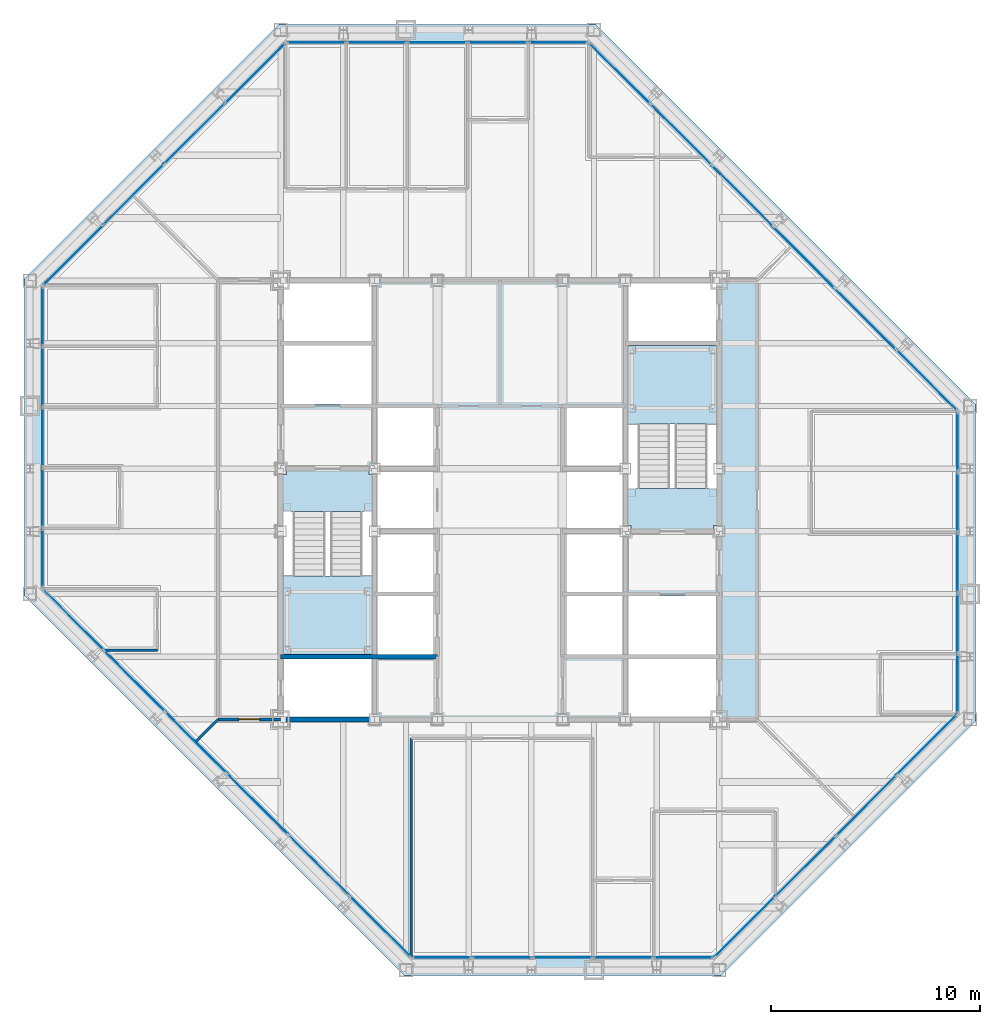
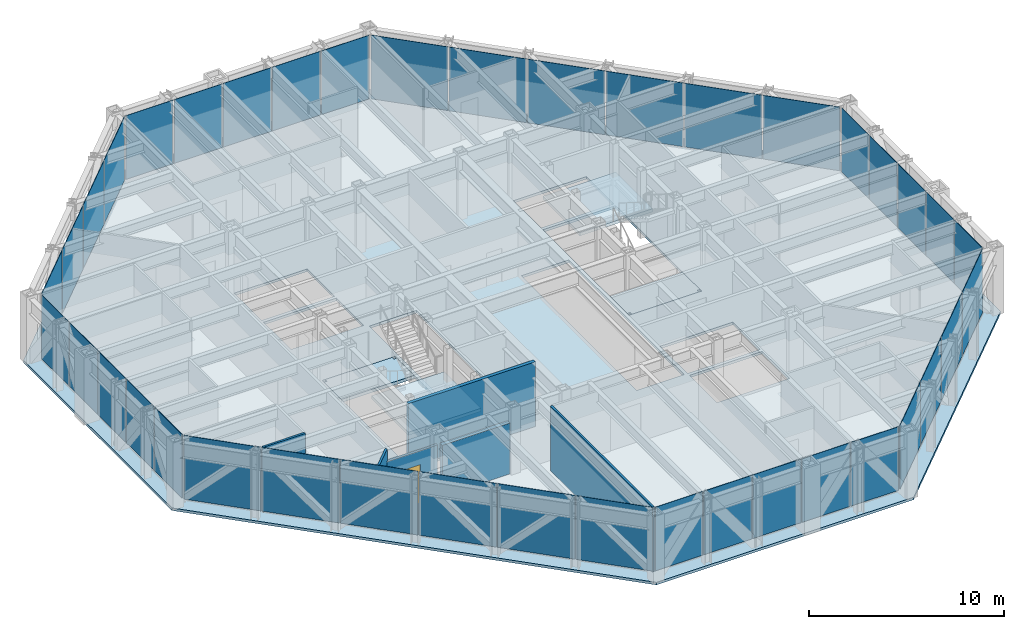
# One storey, part 10 of 16: 40 plates, 6 walls, 5 slabs, 1 door, 1 opening, 10 elements without a shape of their own.
"""IFC4 building model written with IfcOpenShell, lengths in metres."""

from ifc_helpers import new_model, si_unit, direction, frame, frame_2d, origin, origin_2d, place, context, subcontext, project, spatial, polyline, rectangle, outline, extrude, material, layer, layer_set, type_object, element, fill, aggregate, save


model = new_model("IFC4")

# Units and contexts
model_context = context("Model", 3, precision=1e-05, world=origin(), true_north=direction((0.0, 1.0)))
body_context = subcontext(model_context, "Body", "Model", "MODEL_VIEW")
ifc_project = project(units=[si_unit("LENGTHUNIT", "METRE"), si_unit("AREAUNIT", "SQUARE_METRE"), si_unit("VOLUMEUNIT", "CUBIC_METRE"), si_unit("PLANEANGLEUNIT", "RADIAN"), si_unit("MASSUNIT", "GRAM", prefix="KILO")], contexts=[model_context])

# Site, building, storey
site_placement = place(None, origin())
site = spatial("IfcSite", under=ifc_project, at=site_placement, CompositionType="ELEMENT")
building_placement = place(site_placement, origin())
building = spatial("IfcBuilding", under=site, at=building_placement, Name="Chuquiago Exchange Tower", CompositionType="ELEMENT")
storey_placement = place(building_placement, frame((0.0, 0.0, 234.89990234375)))
storey = spatial("IfcBuildingStorey", under=building, at=storey_placement, Name="L52", CompositionType="ELEMENT", Elevation=234.89990234375)

# Curtain wall, plate
ifc_material_1 = material(Name="Aluminium curtain wall system", Category="aluminium")
ifc_layer_1 = layer(ifc_material_1, 0.22509765625)
ifc_layer_set_1 = layer_set([ifc_layer_1], Name="CW2 office curtain wall")
curtain_wall_type_1 = type_object("IfcCurtainWallType", Name="CW2 office curtain wall", PredefinedType="NOTDEFINED", material=ifc_layer_set_1)
curtain_wall_1_placement = place(storey_placement, origin())
curtain_wall_1 = element("IfcCurtainWall", 1, at=curtain_wall_1_placement, inside=storey, type_object=curtain_wall_type_1, Name="CW2 curtain wall L52", PredefinedType="NOTDEFINED")
ifc_material_2 = material(Name="Glass, insulating unit", Category="glass")
ifc_layer_2 = layer(ifc_material_2, 0.030029296875)
ifc_layer_set_2 = layer_set([ifc_layer_2], Name="CW2-P panel 30")
plate_type_1 = type_object("IfcPlateType", Name="CW2-P panel 30", PredefinedType="CURTAIN_PANEL", material=ifc_layer_set_2)
plate_1_placement = place(storey_placement, frame((25.5, 0.60009765625, 0.06494140625), z_axis=(0.0, 0.0, 1.0), x_axis=(1.0, 0.0, 0.0)))
plate_1 = element("IfcPlate", 2, at=plate_1_placement, type_object=plate_type_1, Name="CW2 panel 3.1", PredefinedType="CURTAIN_PANEL", context=body_context, shape_type="SweptSolid", body=[
    extrude(rectangle(XDim=2.835693359375, YDim=0.030029296875, at=origin_2d()), origin(), (0.0, 0.0, 1.0), 3.97509765625),
])

curtain_wall_2_placement = place(storey_placement, origin())
curtain_wall_2 = element("IfcCurtainWall", 3, at=curtain_wall_2_placement, inside=storey, type_object=curtain_wall_type_1, Name="CW2 curtain wall L52", PredefinedType="NOTDEFINED")
plate_2_placement = place(storey_placement, frame((44.39990234375, 19.5, 0.06494140625), z_axis=(0.0, 0.0, 1.0), x_axis=(0.0, 1.0, 0.0)))
plate_2 = element("IfcPlate", 4, at=plate_2_placement, type_object=plate_type_1, Name="CW2 panel 3.1", PredefinedType="CURTAIN_PANEL", context=body_context, shape_type="SweptSolid", body=[
    extrude(rectangle(XDim=2.835693359375, YDim=0.030029296875, at=origin_2d()), origin(), (0.0, 0.0, 1.0), 3.97509765625),
])

curtain_wall_3_placement = place(storey_placement, origin())
curtain_wall_3 = element("IfcCurtainWall", 5, at=curtain_wall_3_placement, inside=storey, type_object=curtain_wall_type_1, Name="CW2 curtain wall L52", PredefinedType="NOTDEFINED")
plate_3_placement = place(storey_placement, frame((19.5, 44.39990234375, 0.06494140625), z_axis=(0.0, 0.0, 1.0), x_axis=(-1.0, 0.0, 0.0)))
plate_3 = element("IfcPlate", 6, at=plate_3_placement, type_object=plate_type_1, Name="CW2 panel 3.1", PredefinedType="CURTAIN_PANEL", context=body_context, shape_type="SweptSolid", body=[
    extrude(rectangle(XDim=2.835693359375, YDim=0.030029296875, at=origin_2d()), origin(), (0.0, 0.0, 1.0), 3.97509765625),
])

curtain_wall_4_placement = place(storey_placement, origin())
curtain_wall_4 = element("IfcCurtainWall", 7, at=curtain_wall_4_placement, inside=storey, type_object=curtain_wall_type_1, Name="CW2 curtain wall L52", PredefinedType="NOTDEFINED")
plate_4_placement = place(storey_placement, frame((0.60009765625, 25.5, 0.06494140625), z_axis=(0.0, 0.0, 1.0), x_axis=(0.0, -1.0, 0.0)))
plate_4 = element("IfcPlate", 8, at=plate_4_placement, type_object=plate_type_1, Name="CW2 panel 3.1", PredefinedType="CURTAIN_PANEL", context=body_context, shape_type="SweptSolid", body=[
    extrude(rectangle(XDim=2.835693359375, YDim=0.030029296875, at=origin_2d()), origin(), (0.0, 0.0, 1.0), 3.97509765625),
])

# Plate
ifc_material_3 = material(Name="Insulated spandrel panel, pale anodised aluminium", Category="aluminium")
ifc_layer_3 = layer(ifc_material_3, 0.030029296875)
ifc_layer_set_3 = layer_set([ifc_layer_3], Name="CW2-P spandrel panel 30")
plate_type_2 = type_object("IfcPlateType", Name="CW2-P spandrel panel 30", PredefinedType="CURTAIN_PANEL", material=ifc_layer_set_3)
plate_5_placement = place(storey_placement, frame((19.715087890625, 0.60009765625, 0.06494140625), z_axis=(0.0, 0.0, 1.0), x_axis=(1.0, 0.0, 0.0)))
plate_5 = element("IfcPlate", 9, at=plate_5_placement, type_object=plate_type_2, Name="CW2 panel 1.1", PredefinedType="CURTAIN_PANEL", context=body_context, shape_type="SweptSolid", body=[
    extrude(rectangle(XDim=2.802978515625, YDim=0.030029296875, at=origin_2d()), origin(), (0.0, 0.0, 1.0), 3.97509765625),
])

plate_6_placement = place(storey_placement, frame((22.599365234375, 0.60009765625, 0.06494140625), z_axis=(0.0, 0.0, 1.0), x_axis=(1.0, 0.0, 0.0)))
plate_6 = element("IfcPlate", 10, at=plate_6_placement, type_object=plate_type_2, Name="CW2 panel 2.1", PredefinedType="CURTAIN_PANEL", context=body_context, shape_type="SweptSolid", body=[
    extrude(rectangle(XDim=2.835693359375, YDim=0.030029296875, at=origin_2d()), origin(), (0.0, 0.0, 1.0), 3.97509765625),
])

plate_7_placement = place(storey_placement, frame((28.400634765625, 0.60009765625, 0.06494140625), z_axis=(0.0, 0.0, 1.0), x_axis=(1.0, 0.0, 0.0)))
plate_7 = element("IfcPlate", 11, at=plate_7_placement, type_object=plate_type_2, Name="CW2 panel 4.1", PredefinedType="CURTAIN_PANEL", context=body_context, shape_type="SweptSolid", body=[
    extrude(rectangle(XDim=2.835693359375, YDim=0.030029296875, at=origin_2d()), origin(), (0.0, 0.0, 1.0), 3.97509765625),
])

plate_8_placement = place(storey_placement, frame((31.284912109375, 0.60009765625, 0.06494140625), z_axis=(0.0, 0.0, 1.0), x_axis=(1.0, 0.0, 0.0)))
plate_8 = element("IfcPlate", 12, at=plate_8_placement, type_object=plate_type_2, Name="CW2 panel 5.1", PredefinedType="CURTAIN_PANEL", context=body_context, shape_type="SweptSolid", body=[
    extrude(rectangle(XDim=2.802978515625, YDim=0.030029296875, at=origin_2d()), origin(), (0.0, 0.0, 1.0), 3.97509765625),
])

aggregate(curtain_wall_1, [plate_5, plate_6, plate_1, plate_7, plate_8])

plate_9_placement = place(storey_placement, frame((44.39990234375, 13.715087890625, 0.06494140625), z_axis=(0.0, 0.0, 1.0), x_axis=(0.0, 1.0, 0.0)))
plate_9 = element("IfcPlate", 13, at=plate_9_placement, type_object=plate_type_2, Name="CW2 panel 1.1", PredefinedType="CURTAIN_PANEL", context=body_context, shape_type="SweptSolid", body=[
    extrude(rectangle(XDim=2.802978515625, YDim=0.030029296875, at=origin_2d()), origin(), (0.0, 0.0, 1.0), 3.97509765625),
])

plate_10_placement = place(storey_placement, frame((44.39990234375, 16.599365234375, 0.06494140625), z_axis=(0.0, 0.0, 1.0), x_axis=(0.0, 1.0, 0.0)))
plate_10 = element("IfcPlate", 14, at=plate_10_placement, type_object=plate_type_2, Name="CW2 panel 2.1", PredefinedType="CURTAIN_PANEL", context=body_context, shape_type="SweptSolid", body=[
    extrude(rectangle(XDim=2.835693359375, YDim=0.030029296875, at=origin_2d()), origin(), (0.0, 0.0, 1.0), 3.97509765625),
])

plate_11_placement = place(storey_placement, frame((44.39990234375, 22.400634765625, 0.06494140625), z_axis=(0.0, 0.0, 1.0), x_axis=(0.0, 1.0, 0.0)))
plate_11 = element("IfcPlate", 15, at=plate_11_placement, type_object=plate_type_2, Name="CW2 panel 4.1", PredefinedType="CURTAIN_PANEL", context=body_context, shape_type="SweptSolid", body=[
    extrude(rectangle(XDim=2.835693359375, YDim=0.030029296875, at=origin_2d()), origin(), (0.0, 0.0, 1.0), 3.97509765625),
])

plate_12_placement = place(storey_placement, frame((44.39990234375, 25.284912109375, 0.06494140625), z_axis=(0.0, 0.0, 1.0), x_axis=(0.0, 1.0, 0.0)))
plate_12 = element("IfcPlate", 16, at=plate_12_placement, type_object=plate_type_2, Name="CW2 panel 5.1", PredefinedType="CURTAIN_PANEL", context=body_context, shape_type="SweptSolid", body=[
    extrude(rectangle(XDim=2.802978515625, YDim=0.030029296875, at=origin_2d()), origin(), (0.0, 0.0, 1.0), 3.97509765625),
])

aggregate(curtain_wall_2, [plate_9, plate_10, plate_2, plate_11, plate_12])

plate_13_placement = place(storey_placement, frame((25.284912109375, 44.39990234375, 0.06494140625), z_axis=(0.0, 0.0, 1.0), x_axis=(-1.0, 0.0, 0.0)))
plate_13 = element("IfcPlate", 17, at=plate_13_placement, type_object=plate_type_2, Name="CW2 panel 1.1", PredefinedType="CURTAIN_PANEL", context=body_context, shape_type="SweptSolid", body=[
    extrude(rectangle(XDim=2.802978515625, YDim=0.030029296875, at=origin_2d()), origin(), (0.0, 0.0, 1.0), 3.97509765625),
])

plate_14_placement = place(storey_placement, frame((22.400634765625, 44.39990234375, 0.06494140625), z_axis=(0.0, 0.0, 1.0), x_axis=(-1.0, 0.0, 0.0)))
plate_14 = element("IfcPlate", 18, at=plate_14_placement, type_object=plate_type_2, Name="CW2 panel 2.1", PredefinedType="CURTAIN_PANEL", context=body_context, shape_type="SweptSolid", body=[
    extrude(rectangle(XDim=2.835693359375, YDim=0.030029296875, at=origin_2d()), origin(), (0.0, 0.0, 1.0), 3.97509765625),
])

plate_15_placement = place(storey_placement, frame((16.599365234375, 44.39990234375, 0.06494140625), z_axis=(0.0, 0.0, 1.0), x_axis=(-1.0, 0.0, 0.0)))
plate_15 = element("IfcPlate", 19, at=plate_15_placement, type_object=plate_type_2, Name="CW2 panel 4.1", PredefinedType="CURTAIN_PANEL", context=body_context, shape_type="SweptSolid", body=[
    extrude(rectangle(XDim=2.835693359375, YDim=0.030029296875, at=origin_2d()), origin(), (0.0, 0.0, 1.0), 3.97509765625),
])

plate_16_placement = place(storey_placement, frame((13.715087890625, 44.39990234375, 0.06494140625), z_axis=(0.0, 0.0, 1.0), x_axis=(-1.0, 0.0, 0.0)))
plate_16 = element("IfcPlate", 20, at=plate_16_placement, type_object=plate_type_2, Name="CW2 panel 5.1", PredefinedType="CURTAIN_PANEL", context=body_context, shape_type="SweptSolid", body=[
    extrude(rectangle(XDim=2.802978515625, YDim=0.030029296875, at=origin_2d()), origin(), (0.0, 0.0, 1.0), 3.97509765625),
])

aggregate(curtain_wall_3, [plate_13, plate_14, plate_3, plate_15, plate_16])

plate_17_placement = place(storey_placement, frame((0.60009765625, 31.284912109375, 0.06494140625), z_axis=(0.0, 0.0, 1.0), x_axis=(0.0, -1.0, 0.0)))
plate_17 = element("IfcPlate", 21, at=plate_17_placement, type_object=plate_type_2, Name="CW2 panel 1.1", PredefinedType="CURTAIN_PANEL", context=body_context, shape_type="SweptSolid", body=[
    extrude(rectangle(XDim=2.802978515625, YDim=0.030029296875, at=origin_2d()), origin(), (0.0, 0.0, 1.0), 3.97509765625),
])

plate_18_placement = place(storey_placement, frame((0.60009765625, 28.400634765625, 0.06494140625), z_axis=(0.0, 0.0, 1.0), x_axis=(0.0, -1.0, 0.0)))
plate_18 = element("IfcPlate", 22, at=plate_18_placement, type_object=plate_type_2, Name="CW2 panel 2.1", PredefinedType="CURTAIN_PANEL", context=body_context, shape_type="SweptSolid", body=[
    extrude(rectangle(XDim=2.835693359375, YDim=0.030029296875, at=origin_2d()), origin(), (0.0, 0.0, 1.0), 3.97509765625),
])

plate_19_placement = place(storey_placement, frame((0.60009765625, 22.599365234375, 0.06494140625), z_axis=(0.0, 0.0, 1.0), x_axis=(0.0, -1.0, 0.0)))
plate_19 = element("IfcPlate", 23, at=plate_19_placement, type_object=plate_type_2, Name="CW2 panel 4.1", PredefinedType="CURTAIN_PANEL", context=body_context, shape_type="SweptSolid", body=[
    extrude(rectangle(XDim=2.835693359375, YDim=0.030029296875, at=origin_2d()), origin(), (0.0, 0.0, 1.0), 3.97509765625),
])

plate_20_placement = place(storey_placement, frame((0.60009765625, 19.715087890625, 0.06494140625), z_axis=(0.0, 0.0, 1.0), x_axis=(0.0, -1.0, 0.0)))
plate_20 = element("IfcPlate", 24, at=plate_20_placement, type_object=plate_type_2, Name="CW2 panel 5.1", PredefinedType="CURTAIN_PANEL", context=body_context, shape_type="SweptSolid", body=[
    extrude(rectangle(XDim=2.802978515625, YDim=0.030029296875, at=origin_2d()), origin(), (0.0, 0.0, 1.0), 3.97509765625),
])

aggregate(curtain_wall_4, [plate_17, plate_18, plate_4, plate_19, plate_20])

# Curtain wall, plates
ifc_material_4 = material(Name="Aluminium curtain wall system", Category="aluminium")
ifc_layer_4 = layer(ifc_material_4, 0.199951171875)
ifc_layer_set_4 = layer_set([ifc_layer_4], Name="CW3 facet curtain wall")
curtain_wall_type_2 = type_object("IfcCurtainWallType", Name="CW3 facet curtain wall", PredefinedType="NOTDEFINED", material=ifc_layer_set_4)
curtain_wall_5_placement = place(storey_placement, origin())
curtain_wall_5 = element("IfcCurtainWall", 25, at=curtain_wall_5_placement, inside=storey, type_object=curtain_wall_type_2, Name="CW3 curtain wall L52", PredefinedType="NOTDEFINED")
ifc_material_5 = material(Name="Insulated spandrel panel, pale anodised aluminium", Category="aluminium")
ifc_layer_5 = layer(ifc_material_5, 0.030029296875)
ifc_layer_set_5 = layer_set([ifc_layer_5], Name="CW3-P spandrel panel 30")
plate_type_3 = type_object("IfcPlateType", Name="CW3-P spandrel panel 30", PredefinedType="CURTAIN_PANEL", material=ifc_layer_set_5)
plate_21_placement = place(storey_placement, frame((34.218994140625, 2.067626953125, 0.06494140625), z_axis=(0.0, 0.0, 1.0), x_axis=(0.707106781187, 0.707106781187, 0.0)))
plate_21 = element("IfcPlate", 26, at=plate_21_placement, type_object=plate_type_3, Name="CW3 panel 1.1", PredefinedType="CURTAIN_PANEL", context=body_context, shape_type="SweptSolid", body=[
    extrude(rectangle(XDim=4.020751953125, YDim=0.030029296875, at=origin_2d()), origin(), (0.0, 0.0, 1.0), 3.97509765625),
])
plate_22_placement = place(storey_placement, frame((37.11962890625, 4.96826171875, 0.06494140625), z_axis=(0.0, 0.0, 1.0), x_axis=(0.707106781187, 0.707106781187, 0.0)))
plate_22 = element("IfcPlate", 27, at=plate_22_placement, type_object=plate_type_3, Name="CW3 panel 2.1", PredefinedType="CURTAIN_PANEL", context=body_context, shape_type="SweptSolid", body=[
    extrude(rectangle(XDim=4.053466796875, YDim=0.030029296875, at=origin_2d()), origin(), (0.0, 0.0, 1.0), 3.97509765625),
])
plate_23_placement = place(storey_placement, frame((40.03173828125, 7.88037109375, 0.06494140625), z_axis=(0.0, 0.0, 1.0), x_axis=(0.707106781187, 0.707106781187, 0.0)))
plate_23 = element("IfcPlate", 28, at=plate_23_placement, type_object=plate_type_3, Name="CW3 panel 3.1", PredefinedType="CURTAIN_PANEL", context=body_context, shape_type="SweptSolid", body=[
    extrude(rectangle(XDim=4.053466796875, YDim=0.030029296875, at=origin_2d()), origin(), (0.0, 0.0, 1.0), 3.97509765625),
])
plate_24_placement = place(storey_placement, frame((42.932373046875, 10.781005859375, 0.06494140625), z_axis=(0.0, 0.0, 1.0), x_axis=(0.707106781187, 0.707106781187, 0.0)))
plate_24 = element("IfcPlate", 29, at=plate_24_placement, type_object=plate_type_3, Name="CW3 panel 4.1", PredefinedType="CURTAIN_PANEL", context=body_context, shape_type="SweptSolid", body=[
    extrude(rectangle(XDim=4.020751953125, YDim=0.030029296875, at=origin_2d()), origin(), (0.0, 0.0, 1.0), 3.97509765625),
])
aggregate(curtain_wall_5, [plate_21, plate_22, plate_23, plate_24])

curtain_wall_6_placement = place(storey_placement, origin())
curtain_wall_6 = element("IfcCurtainWall", 30, at=curtain_wall_6_placement, inside=storey, type_object=curtain_wall_type_2, Name="CW3 curtain wall L52", PredefinedType="NOTDEFINED")
plate_25_placement = place(storey_placement, frame((42.917724609375, 28.233642578125, 0.06494140625), z_axis=(0.0, 0.0, 1.0), x_axis=(-0.707106781187, 0.707106781187, 0.0)))
plate_25 = element("IfcPlate", 31, at=plate_25_placement, type_object=plate_type_3, Name="CW3 panel 1.1", PredefinedType="CURTAIN_PANEL", context=body_context, shape_type="SweptSolid", body=[
    extrude(rectangle(XDim=4.062255859375, YDim=0.030029296875, at=origin_2d()), origin(), (0.0, 0.0, 1.0), 3.97509765625),
])
plate_26_placement = place(storey_placement, frame((39.98779296875, 31.16357421875, 0.06494140625), z_axis=(0.0, 0.0, 1.0), x_axis=(-0.707106781187, 0.707106781187, 0.0)))
plate_26 = element("IfcPlate", 32, at=plate_26_placement, type_object=plate_type_3, Name="CW3 panel 2.1", PredefinedType="CURTAIN_PANEL", context=body_context, shape_type="SweptSolid", body=[
    extrude(rectangle(XDim=4.0947265625, YDim=0.030029296875, at=origin_2d()), origin(), (0.0, 0.0, 1.0), 3.97509765625),
])
plate_27_placement = place(storey_placement, frame((37.04638671875, 34.10498046875, 0.06494140625), z_axis=(0.0, 0.0, 1.0), x_axis=(-0.707106781187, 0.707106781187, 0.0)))
plate_27 = element("IfcPlate", 33, at=plate_27_placement, type_object=plate_type_3, Name="CW3 panel 3.1", PredefinedType="CURTAIN_PANEL", context=body_context, shape_type="SweptSolid", body=[
    extrude(rectangle(XDim=4.0947265625, YDim=0.030029296875, at=origin_2d()), origin(), (0.0, 0.0, 1.0), 3.97509765625),
])
plate_28_placement = place(storey_placement, frame((34.10498046875, 37.04638671875, 0.06494140625), z_axis=(0.0, 0.0, 1.0), x_axis=(-0.707106781187, 0.707106781187, 0.0)))
plate_28 = element("IfcPlate", 34, at=plate_28_placement, type_object=plate_type_3, Name="CW3 panel 4.1", PredefinedType="CURTAIN_PANEL", context=body_context, shape_type="SweptSolid", body=[
    extrude(rectangle(XDim=4.0947265625, YDim=0.030029296875, at=origin_2d()), origin(), (0.0, 0.0, 1.0), 3.97509765625),
])
plate_29_placement = place(storey_placement, frame((31.16357421875, 39.98779296875, 0.06494140625), z_axis=(0.0, 0.0, 1.0), x_axis=(-0.707106781187, 0.707106781187, 0.0)))
plate_29 = element("IfcPlate", 35, at=plate_29_placement, type_object=plate_type_3, Name="CW3 panel 5.1", PredefinedType="CURTAIN_PANEL", context=body_context, shape_type="SweptSolid", body=[
    extrude(rectangle(XDim=4.0947265625, YDim=0.030029296875, at=origin_2d()), origin(), (0.0, 0.0, 1.0), 3.97509765625),
])
plate_30_placement = place(storey_placement, frame((28.233642578125, 42.917724609375, 0.06494140625), z_axis=(0.0, 0.0, 1.0), x_axis=(-0.707106781187, 0.707106781187, 0.0)))
plate_30 = element("IfcPlate", 36, at=plate_30_placement, type_object=plate_type_3, Name="CW3 panel 6.1", PredefinedType="CURTAIN_PANEL", context=body_context, shape_type="SweptSolid", body=[
    extrude(rectangle(XDim=4.062255859375, YDim=0.030029296875, at=origin_2d()), origin(), (0.0, 0.0, 1.0), 3.97509765625),
])
aggregate(curtain_wall_6, [plate_25, plate_26, plate_27, plate_28, plate_29, plate_30])

curtain_wall_7_placement = place(storey_placement, origin())
curtain_wall_7 = element("IfcCurtainWall", 37, at=curtain_wall_7_placement, inside=storey, type_object=curtain_wall_type_2, Name="CW3 curtain wall L52", PredefinedType="NOTDEFINED")
plate_31_placement = place(storey_placement, frame((10.781005859375, 42.932373046875, 0.06494140625), z_axis=(0.0, 0.0, 1.0), x_axis=(-0.707106781187, -0.707106781187, 0.0)))
plate_31 = element("IfcPlate", 38, at=plate_31_placement, type_object=plate_type_3, Name="CW3 panel 1.1", PredefinedType="CURTAIN_PANEL", context=body_context, shape_type="SweptSolid", body=[
    extrude(rectangle(XDim=4.020751953125, YDim=0.030029296875, at=origin_2d()), origin(), (0.0, 0.0, 1.0), 3.97509765625),
])
plate_32_placement = place(storey_placement, frame((7.88037109375, 40.03173828125, 0.06494140625), z_axis=(0.0, 0.0, 1.0), x_axis=(-0.707106781187, -0.707106781187, 0.0)))
plate_32 = element("IfcPlate", 39, at=plate_32_placement, type_object=plate_type_3, Name="CW3 panel 2.1", PredefinedType="CURTAIN_PANEL", context=body_context, shape_type="SweptSolid", body=[
    extrude(rectangle(XDim=4.053466796875, YDim=0.030029296875, at=origin_2d()), origin(), (0.0, 0.0, 1.0), 3.97509765625),
])
plate_33_placement = place(storey_placement, frame((4.96826171875, 37.11962890625, 0.06494140625), z_axis=(0.0, 0.0, 1.0), x_axis=(-0.707106781187, -0.707106781187, 0.0)))
plate_33 = element("IfcPlate", 40, at=plate_33_placement, type_object=plate_type_3, Name="CW3 panel 3.1", PredefinedType="CURTAIN_PANEL", context=body_context, shape_type="SweptSolid", body=[
    extrude(rectangle(XDim=4.053466796875, YDim=0.030029296875, at=origin_2d()), origin(), (0.0, 0.0, 1.0), 3.97509765625),
])
plate_34_placement = place(storey_placement, frame((2.067626953125, 34.218994140625, 0.06494140625), z_axis=(0.0, 0.0, 1.0), x_axis=(-0.707106781187, -0.707106781187, 0.0)))
plate_34 = element("IfcPlate", 41, at=plate_34_placement, type_object=plate_type_3, Name="CW3 panel 4.1", PredefinedType="CURTAIN_PANEL", context=body_context, shape_type="SweptSolid", body=[
    extrude(rectangle(XDim=4.020751953125, YDim=0.030029296875, at=origin_2d()), origin(), (0.0, 0.0, 1.0), 3.97509765625),
])
aggregate(curtain_wall_7, [plate_31, plate_32, plate_33, plate_34])

curtain_wall_8_placement = place(storey_placement, origin())
curtain_wall_8 = element("IfcCurtainWall", 42, at=curtain_wall_8_placement, inside=storey, type_object=curtain_wall_type_2, Name="CW3 curtain wall L52", PredefinedType="NOTDEFINED")
plate_35_placement = place(storey_placement, frame((2.082275390625, 16.766357421875, 0.06494140625), z_axis=(0.0, 0.0, 1.0), x_axis=(0.707106781187, -0.707106781187, 0.0)))
plate_35 = element("IfcPlate", 43, at=plate_35_placement, type_object=plate_type_3, Name="CW3 panel 1.1", PredefinedType="CURTAIN_PANEL", context=body_context, shape_type="SweptSolid", body=[
    extrude(rectangle(XDim=4.062255859375, YDim=0.030029296875, at=origin_2d()), origin(), (0.0, 0.0, 1.0), 3.97509765625),
])
plate_36_placement = place(storey_placement, frame((5.01220703125, 13.83642578125, 0.06494140625), z_axis=(0.0, 0.0, 1.0), x_axis=(0.707106781187, -0.707106781187, 0.0)))
plate_36 = element("IfcPlate", 44, at=plate_36_placement, type_object=plate_type_3, Name="CW3 panel 2.1", PredefinedType="CURTAIN_PANEL", context=body_context, shape_type="SweptSolid", body=[
    extrude(rectangle(XDim=4.0947265625, YDim=0.030029296875, at=origin_2d()), origin(), (0.0, 0.0, 1.0), 3.97509765625),
])
plate_37_placement = place(storey_placement, frame((7.95361328125, 10.89501953125, 0.06494140625), z_axis=(0.0, 0.0, 1.0), x_axis=(0.707106781187, -0.707106781187, 0.0)))
plate_37 = element("IfcPlate", 45, at=plate_37_placement, type_object=plate_type_3, Name="CW3 panel 3.1", PredefinedType="CURTAIN_PANEL", context=body_context, shape_type="SweptSolid", body=[
    extrude(rectangle(XDim=4.0947265625, YDim=0.030029296875, at=origin_2d()), origin(), (0.0, 0.0, 1.0), 3.97509765625),
])
plate_38_placement = place(storey_placement, frame((10.89501953125, 7.95361328125, 0.06494140625), z_axis=(0.0, 0.0, 1.0), x_axis=(0.707106781187, -0.707106781187, 0.0)))
plate_38 = element("IfcPlate", 46, at=plate_38_placement, type_object=plate_type_3, Name="CW3 panel 4.1", PredefinedType="CURTAIN_PANEL", context=body_context, shape_type="SweptSolid", body=[
    extrude(rectangle(XDim=4.0947265625, YDim=0.030029296875, at=origin_2d()), origin(), (0.0, 0.0, 1.0), 3.97509765625),
])
plate_39_placement = place(storey_placement, frame((13.83642578125, 5.01220703125, 0.06494140625), z_axis=(0.0, 0.0, 1.0), x_axis=(0.707106781187, -0.707106781187, 0.0)))
plate_39 = element("IfcPlate", 47, at=plate_39_placement, type_object=plate_type_3, Name="CW3 panel 5.1", PredefinedType="CURTAIN_PANEL", context=body_context, shape_type="SweptSolid", body=[
    extrude(rectangle(XDim=4.0947265625, YDim=0.030029296875, at=origin_2d()), origin(), (0.0, 0.0, 1.0), 3.97509765625),
])
plate_40_placement = place(storey_placement, frame((16.766357421875, 2.082275390625, 0.06494140625), z_axis=(0.0, 0.0, 1.0), x_axis=(0.707106781187, -0.707106781187, 0.0)))
plate_40 = element("IfcPlate", 48, at=plate_40_placement, type_object=plate_type_3, Name="CW3 panel 6.1", PredefinedType="CURTAIN_PANEL", context=body_context, shape_type="SweptSolid", body=[
    extrude(rectangle(XDim=4.062255859375, YDim=0.030029296875, at=origin_2d()), origin(), (0.0, 0.0, 1.0), 3.97509765625),
])
aggregate(curtain_wall_8, [plate_35, plate_36, plate_37, plate_38, plate_39, plate_40])

# Slab
ifc_material_6 = material(Name="Concrete C30/37", Category="concrete")
ifc_layer_6 = layer(ifc_material_6, 0.159912109375)
ifc_layer_set_6 = layer_set([ifc_layer_6], Name="FS1 composite floor 160")
slab_type_1 = type_object("IfcSlabType", Name="FS1 composite floor 160", PredefinedType="FLOOR", material=ifc_layer_set_6)
slab_1_placement = place(storey_placement, frame((0.0, 0.0, -0.159912109375)))
element("IfcSlab", 49, at=slab_1_placement, inside=storey, type_object=slab_type_1, Name="L52 floor slab", PredefinedType="FLOOR", context=body_context, shape_type="SweptSolid", body=[
    extrude(outline(polyline([(17.896484375, -0.25), (-0.25, 17.896484375), (-0.25, 33.103515625), (11.896484375, 45.25), (27.103515625, 45.25), (45.25, 27.103515625), (45.25, 11.896484375), (33.103515625, -0.25), (17.896484375, -0.25)]), holes=[polyline([(16.39990234375, 15.10009765625), (12.10009765625, 15.10009765625), (12.10009765625, 23.89990234375), (16.39990234375, 23.89990234375), (16.39990234375, 15.10009765625)]), polyline([(32.89990234375, 21.10009765625), (28.60009765625, 21.10009765625), (28.60009765625, 29.89990234375), (32.89990234375, 29.89990234375), (32.89990234375, 21.10009765625)]), polyline([(16.39990234375, 12.10009765625), (12.10009765625, 12.10009765625), (12.10009765625, 14.89990234375), (16.39990234375, 14.89990234375), (16.39990234375, 12.10009765625)]), polyline([(16.39990234375, 30.10009765625), (12.10009765625, 30.10009765625), (12.10009765625, 32.89990234375), (16.39990234375, 32.89990234375), (16.39990234375, 30.10009765625)]), polyline([(32.89990234375, 12.10009765625), (28.60009765625, 12.10009765625), (28.60009765625, 14.89990234375), (32.89990234375, 14.89990234375), (32.89990234375, 12.10009765625)]), polyline([(32.89990234375, 30.10009765625), (28.60009765625, 30.10009765625), (28.60009765625, 32.89990234375), (32.89990234375, 32.89990234375), (32.89990234375, 30.10009765625)]), polyline([(16.39990234375, 27.10009765625), (12.10009765625, 27.10009765625), (12.10009765625, 29.89990234375), (16.39990234375, 29.89990234375), (16.39990234375, 27.10009765625)]), polyline([(32.89990234375, 15.10009765625), (28.60009765625, 15.10009765625), (28.60009765625, 17.89990234375), (32.89990234375, 17.89990234375), (32.89990234375, 15.10009765625)]), polyline([(19.39990234375, 15.10009765625), (16.60009765625, 15.10009765625), (16.60009765625, 26.89990234375), (19.39990234375, 26.89990234375), (19.39990234375, 15.10009765625)]), polyline([(28.39990234375, 15.10009765625), (25.60009765625, 15.10009765625), (25.60009765625, 26.89990234375), (28.39990234375, 26.89990234375), (28.39990234375, 15.10009765625)])]), origin(), (0.0, 0.0, 1.0), 0.159912109375),
])

# Stair, slabs
ifc_material_7 = material(Name="Concrete C30/37, precast", Category="concrete")
stair_type_1 = type_object("IfcStairType", Name="ST1 half-turn stair 4200", PredefinedType="HALF_TURN_STAIR", material=ifc_material_7)
stair_1_placement = place(storey_placement, origin())
stair_1 = element("IfcStair", 50, at=stair_1_placement, inside=storey, type_object=stair_type_1, Name="Stair ST1 L52", PredefinedType="HALF_TURN_STAIR")
ifc_material_8 = material(Name="Concrete C30/37, precast", Category="concrete")
ifc_layer_7 = layer(ifc_material_8, 0.199951171875)
ifc_layer_set_7 = layer_set([ifc_layer_7], Name="ST-L landing 200")
slab_type_2 = type_object("IfcSlabType", Name="ST-L landing 200", PredefinedType="LANDING", material=ifc_layer_set_7)
slab_2_placement = place(storey_placement, frame((0.0, 0.0, -0.199951171875)))
slab_2 = element("IfcSlab", 51, at=slab_2_placement, type_object=slab_type_2, Name="ST1 landing 1", PredefinedType="LANDING", context=body_context, shape_type="SweptSolid", body=[
    extrude(outline(polyline([(12.27490234375, 23.89990234375), (16.22509765625, 23.89990234375), (16.22509765625, 23.72509765625), (16.39990234375, 23.72509765625), (16.39990234375, 21.949951171875), (12.10009765625, 21.949951171875), (12.10009765625, 23.72509765625), (12.27490234375, 23.72509765625), (12.27490234375, 23.89990234375)])), origin(), (0.0, 0.0, 1.0), 0.199951171875),
])
slab_3_placement = place(storey_placement, frame((0.0, 0.0, 1.900146484375)))
slab_3 = element("IfcSlab", 52, at=slab_3_placement, type_object=slab_type_2, Name="ST1 landing 2", PredefinedType="LANDING", context=body_context, shape_type="SweptSolid", body=[
    extrude(outline(polyline([(12.10009765625, 18.8701171875), (16.39990234375, 18.8701171875), (16.39990234375, 15.10009765625), (12.10009765625, 15.10009765625), (12.10009765625, 18.8701171875)])), origin(), (0.0, 0.0, 1.0), 0.199951171875),
])
aggregate(stair_1, [slab_2, slab_3])

ifc_material_9 = material(Name="Concrete C30/37, precast", Category="concrete")
stair_type_2 = type_object("IfcStairType", Name="ST2 half-turn stair 4200", PredefinedType="HALF_TURN_STAIR", material=ifc_material_9)
stair_2_placement = place(storey_placement, origin())
stair_2 = element("IfcStair", 53, at=stair_2_placement, inside=storey, type_object=stair_type_2, Name="Stair ST2 L52", PredefinedType="HALF_TURN_STAIR")
slab_4_placement = place(storey_placement, frame((0.0, 0.0, -0.199951171875)))
slab_4 = element("IfcSlab", 54, at=slab_4_placement, type_object=slab_type_2, Name="ST2 landing 1", PredefinedType="LANDING", context=body_context, shape_type="SweptSolid", body=[
    extrude(outline(polyline([(32.72509765625, 21.27490234375), (32.72509765625, 21.10009765625), (28.77490234375, 21.10009765625), (28.77490234375, 21.27490234375), (28.60009765625, 21.27490234375), (28.60009765625, 23.050048828125), (32.89990234375, 23.050048828125), (32.89990234375, 21.27490234375), (32.72509765625, 21.27490234375)])), origin(), (0.0, 0.0, 1.0), 0.199951171875),
])
slab_5_placement = place(storey_placement, frame((0.0, 0.0, 1.900146484375)))
slab_5 = element("IfcSlab", 55, at=slab_5_placement, type_object=slab_type_2, Name="ST2 landing 2", PredefinedType="LANDING", context=body_context, shape_type="SweptSolid", body=[
    extrude(outline(polyline([(28.60009765625, 29.89990234375), (32.89990234375, 29.89990234375), (32.89990234375, 26.1298828125), (28.60009765625, 26.1298828125), (28.60009765625, 29.89990234375)])), origin(), (0.0, 0.0, 1.0), 0.199951171875),
])
aggregate(stair_2, [slab_4, slab_5])

# Wall
ifc_material_10 = material(Name="Concrete masonry, fully grouted", Category="masonry")
ifc_layer_8 = layer(ifc_material_10, 0.25)
ifc_layer_set_8 = layer_set([ifc_layer_8], Name="W1 core wall 250")
wall_type_1 = type_object("IfcWallType", Name="W1 core wall 250", PredefinedType="SOLIDWALL", material=ifc_layer_set_8)
wall_1_placement = place(storey_placement, frame((12.25, 12.0, 0.0), z_axis=(0.0, 0.0, 1.0), x_axis=(1.0, 0.0, 0.0)))
element("IfcWall", 56, at=wall_1_placement, inside=storey, type_object=wall_type_1, Name="CW-L52-01-0", PredefinedType="SOLIDWALL", context=body_context, shape_type="SweptSolid", body=[
    extrude(rectangle(XDim=4.0, YDim=0.25, at=frame_2d((2.0, 0.0))), origin(), (0.0, 0.0, 1.0), 3.181640625),
])

# Wall, opening, door
ifc_material_11 = material(Name="Gypsum board on steel studs, acoustic insulation", Category="steel")
ifc_layer_9 = layer(ifc_material_11, 0.14990234375)
ifc_layer_set_9 = layer_set([ifc_layer_9], Name="W11 corridor wall 150")
wall_type_2 = type_object("IfcWallType", Name="W11 corridor wall 150", PredefinedType="PARTITIONING", material=ifc_layer_set_9)
wall_2_placement = place(storey_placement, frame((9.0, 12.0, 0.0), z_axis=(0.0, 0.0, 1.0), x_axis=(1.0, 0.0, 0.0)))
wall_2 = element("IfcWall", 57, at=wall_2_placement, inside=storey, type_object=wall_type_2, Name="PW-L52-GWS0", PredefinedType="PARTITIONING", context=body_context, shape_type="SweptSolid", body=[
    extrude(rectangle(XDim=3.0, YDim=0.14990234375, at=frame_2d((1.5, 0.0))), origin(), (0.0, 0.0, 1.0), 3.2705078125),
])
opening_placement = place(wall_2_placement, frame((1.0, 0.0, 0.0)))
opening = element("IfcOpeningElement", 58, at=opening_placement, cuts=wall_2, Name="Opening L52-035", PredefinedType="OPENING", context=body_context, shape_type="SweptSolid", body=[
    extrude(rectangle(XDim=1.0, YDim=2.39990234375, at=frame_2d((0.5, 1.199951171875))), frame((0.0, 0.0849609375, 0.0), z_axis=(0.0, -1.0, 0.0), x_axis=(1.0, 0.0, 0.0)), (0.0, 0.0, 1.0), 0.169921875),
])
ifc_material_12 = material(Name="Timber door, laminate faced", Category="wood")
door_type = type_object("IfcDoorType", Name="D9 room door 1000x2400", OperationType="SINGLE_SWING_LEFT", PredefinedType="DOOR", material=ifc_material_12)
door_placement = place(opening_placement, frame((1.0, 0.0, 0.0), z_axis=(0.0, 0.0, 1.0), x_axis=(-1.0, 0.0, 0.0)))
door = element("IfcDoor", 59, at=door_placement, inside=storey, type_object=door_type, Name="Team area door", OperationType="SINGLE_SWING_LEFT", OverallHeight=2.39990234375, OverallWidth=1.0, PredefinedType="DOOR", context=body_context, shape_type="SweptSolid", body=[
    extrude(rectangle(XDim=1.0, YDim=2.39990234375, at=frame_2d((0.5, 1.199951171875))), frame((0.0, 0.02490234375, 0.0), z_axis=(0.0, -1.0, 0.0), x_axis=(1.0, 0.0, 0.0)), (0.0, 0.0, 1.0), 0.050048828125),
])
fill(opening, door)

# Walls
ifc_material_13 = material(Name="Concrete masonry, fully grouted", Category="masonry")
ifc_layer_10 = layer(ifc_material_13, 0.199951171875)
ifc_layer_set_10 = layer_set([ifc_layer_10], Name="W2 shaft wall 200")
wall_type_3 = type_object("IfcWallType", Name="W2 shaft wall 200", PredefinedType="SOLIDWALL", material=ifc_layer_set_10)
wall_3_placement = place(storey_placement, frame((12.0, 15.0, 0.0), z_axis=(0.0, 0.0, 1.0), x_axis=(1.0, 0.0, 0.0)))
element("IfcWall", 60, at=wall_3_placement, inside=storey, type_object=wall_type_3, Name="CW-L52-03-0", PredefinedType="SOLIDWALL", context=body_context, shape_type="SweptSolid", body=[
    extrude(rectangle(XDim=7.5, YDim=0.199951171875, at=frame_2d((3.75, 0.0))), origin(), (0.0, 0.0, 1.0), 4.0400390625),
])
ifc_material_14 = material(Name="Gypsum board on steel studs", Category="steel")
ifc_layer_11 = layer(ifc_material_14, 0.1201171875)
ifc_layer_set_11 = layer_set([ifc_layer_11], Name="W4 partition 120")
wall_type_4 = type_object("IfcWallType", Name="W4 partition 120", PredefinedType="PARTITIONING", material=ifc_layer_set_11)
wall_4_placement = place(storey_placement, frame((18.24853515625, 0.666015625, 0.0), z_axis=(0.0, 0.0, 1.0), x_axis=(0.0, 1.0, 0.0)))
element("IfcWall", 61, at=wall_4_placement, inside=storey, type_object=wall_type_4, Name="PW-L52-S01825", PredefinedType="PARTITIONING", context=body_context, shape_type="SweptSolid", body=[
    extrude(rectangle(XDim=10.43408203125, YDim=0.1201171875, at=frame_2d((5.217041015625, 0.0))), origin(), (0.0, 0.0, 1.0), 4.0400390625),
])
wall_5_placement = place(storey_placement, frame((3.607421875, 15.30712890625, 0.0), z_axis=(0.0, 0.0, 1.0), x_axis=(1.0, 0.0, 0.0)))
element("IfcWall", 62, at=wall_5_placement, inside=storey, type_object=wall_type_4, Name="PW-L52-W01531", PredefinedType="PARTITIONING", context=body_context, shape_type="SweptSolid", body=[
    extrude(rectangle(XDim=2.49267578125, YDim=0.1201171875, at=frame_2d((1.246337890625, 0.0))), origin(), (0.0, 0.0, 1.0), 4.0400390625),
])
wall_6_placement = place(storey_placement, frame((9.0, 12.0, 0.0), z_axis=(0.0, 0.0, 1.0), x_axis=(-0.707106781187, -0.707106781187, 0.0)))
element("IfcWall", 63, at=wall_6_placement, inside=storey, type_object=wall_type_4, Name="PW-L52-QSW", PredefinedType="PARTITIONING", context=body_context, shape_type="SweptSolid", body=[
    extrude(rectangle(XDim=1.4892578125, YDim=0.1201171875, at=frame_2d((0.74462890625, 0.0))), origin(), (0.0, 0.0, 1.0), 4.0400390625),
])

save(model, "model.ifc")
